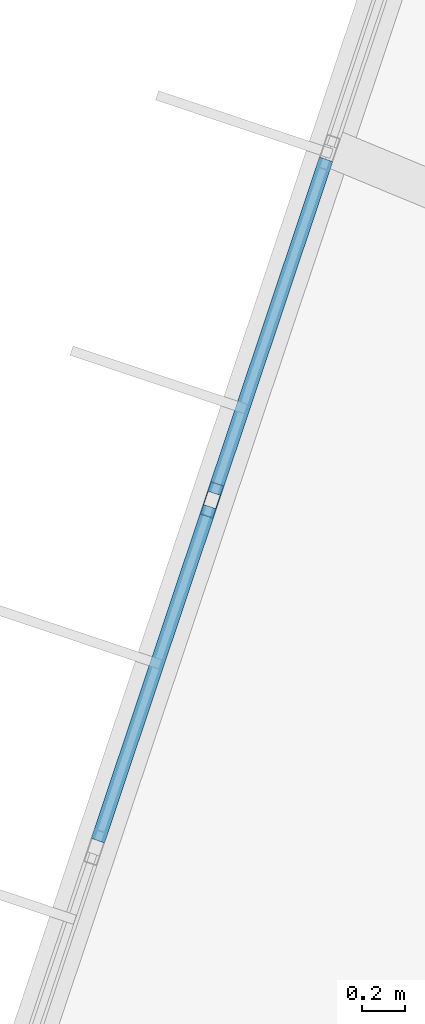
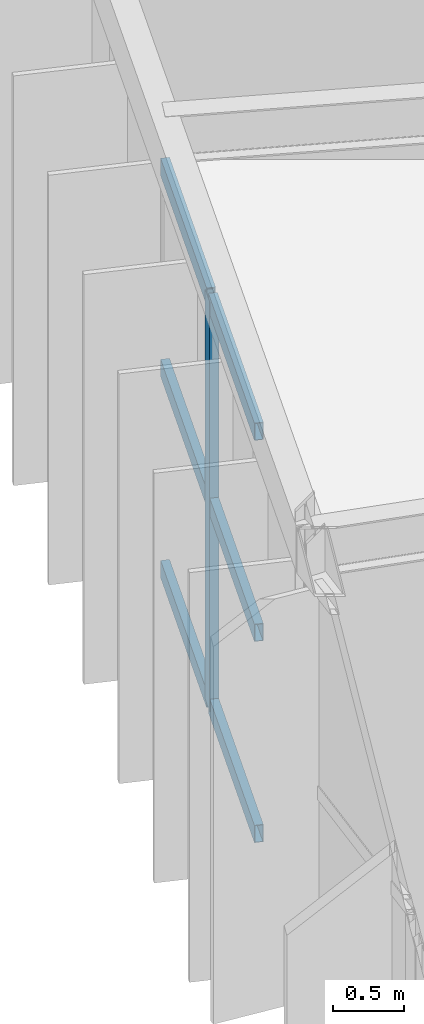
# One storey, part 29 of 106: 7 members, 1 element without a shape of its own.
"""IFC4 building model written with IfcOpenShell, lengths in metres."""

from ifc_helpers import new_model, si_unit, direction, frame, origin, origin_2d, place, context, subcontext, project, spatial, hollow_rectangle, extrude, material, material_profile, profile_set, type_object, element, aggregate, save


model = new_model("IFC4")

# Units and contexts
model_context = context("Model", 3, precision=1e-05, world=origin(), true_north=direction((0.0, 1.0)))
body_context = subcontext(model_context, "Body", "Model", "MODEL_VIEW")
ifc_project = project(units=[si_unit("LENGTHUNIT", "METRE"), si_unit("AREAUNIT", "SQUARE_METRE"), si_unit("VOLUMEUNIT", "CUBIC_METRE"), si_unit("PLANEANGLEUNIT", "RADIAN"), si_unit("MASSUNIT", "GRAM", prefix="KILO")], contexts=[model_context])

# Site, building, storey
site_placement = place(None, origin())
site = spatial("IfcSite", under=ifc_project, at=site_placement, CompositionType="ELEMENT")
building_placement = place(site_placement, origin())
building = spatial("IfcBuilding", under=site, at=building_placement, Name="Karori Crest Natural Sciences Institute", CompositionType="ELEMENT")
storey_placement = place(building_placement, frame((0.0, 0.0, 25.89990234375)))
storey = spatial("IfcBuildingStorey", under=building, at=storey_placement, Name="L06", CompositionType="ELEMENT", Elevation=25.89990234375)

# Curtain wall, members
ifc_material = material(Name="Anodised architectural aluminium 6063-T6", Category="aluminium")
curtain_wall_type = type_object("IfcCurtainWallType", Name="CWT-01", PredefinedType="NOTDEFINED", material=ifc_material)
curtain_wall_placement = place(storey_placement, origin())
curtain_wall = element("IfcCurtainWall", 1, at=curtain_wall_placement, inside=storey, type_object=curtain_wall_type, Name="Curtain wall CW-0235", PredefinedType="NOTDEFINED")
ifc_material_profile_1 = material_profile(ifc_material, hollow_rectangle(XDim=0.06494140625, YDim=0.159912109375, WallThickness=0.00390625, at=origin_2d()), Name="CWM160x65x4")
ifc_profile_set_1 = profile_set([ifc_material_profile_1], Name="Anodised architectural aluminium 6063-T6")
member_type_1 = type_object("IfcMemberType", Name="CWM-01", PredefinedType="MULLION", material=ifc_profile_set_1)
member_1_placement = place(storey_placement, frame((35.626953125, 63.7509765625, 0.0), z_axis=(0.0, 0.0, 1.0), x_axis=(-0.94819805026, 0.317679803392, 0.0)))
member_1 = element("IfcMember", 2, at=member_1_placement, type_object=member_type_1, Name="CW-0235 mullion 3", PredefinedType="MULLION", context=body_context, shape_type="SweptSolid", body=[
    extrude(hollow_rectangle(XDim=0.06494140625, YDim=0.159912109375, WallThickness=0.00390625, at=origin_2d()), origin(), (0.0, 0.0, 1.0), 3.525146484375),
])
ifc_material_profile_2 = material_profile(ifc_material, hollow_rectangle(XDim=0.06494140625, YDim=0.14990234375, WallThickness=0.00390625, at=origin_2d()), Name="CWT150x65x4")
ifc_profile_set_2 = profile_set([ifc_material_profile_2], Name="Anodised architectural aluminium 6063-T6")
member_type_2 = type_object("IfcMemberType", Name="CWT-TR2", PredefinedType="USERDEFINED", material=ifc_profile_set_2)
member_2_placement = place(storey_placement, frame((35.099365234375, 62.17578125, 0.03271484375), z_axis=(0.317666571129, 0.948202483432, 0.0), x_axis=(-0.948202483432, 0.317666571129, 0.0)))
member_2 = element("IfcMember", 3, at=member_2_placement, type_object=member_type_2, Name="CW-0235 transom 2.1", ObjectType="TRANSOM", PredefinedType="USERDEFINED", context=body_context, shape_type="SweptSolid", body=[
    extrude(hollow_rectangle(XDim=0.06494140625, YDim=0.14990234375, WallThickness=0.00390625, at=origin_2d()), origin(), (0.0, 0.0, 1.0), 1.628662109375),
])
member_3_placement = place(storey_placement, frame((35.099365234375, 62.17578125, 1.7626953125), z_axis=(0.317666571129, 0.948202483432, 0.0), x_axis=(-0.948202483432, 0.317666571129, 0.0)))
member_3 = element("IfcMember", 4, at=member_3_placement, type_object=member_type_2, Name="CW-0235 transom 2.2", ObjectType="TRANSOM", PredefinedType="USERDEFINED", context=body_context, shape_type="SweptSolid", body=[
    extrude(hollow_rectangle(XDim=0.06494140625, YDim=0.14990234375, WallThickness=0.00390625, at=origin_2d()), origin(), (0.0, 0.0, 1.0), 1.628662109375),
])
member_4_placement = place(storey_placement, frame((35.099365234375, 62.17578125, 3.49267578125), z_axis=(0.317666571129, 0.948202483432, 0.0), x_axis=(-0.948202483432, 0.317666571129, 0.0)))
member_4 = element("IfcMember", 5, at=member_4_placement, type_object=member_type_2, Name="CW-0235 transom 2.3", ObjectType="TRANSOM", PredefinedType="USERDEFINED", context=body_context, shape_type="SweptSolid", body=[
    extrude(hollow_rectangle(XDim=0.06494140625, YDim=0.14990234375, WallThickness=0.00390625, at=origin_2d()), origin(), (0.0, 0.0, 1.0), 1.628662109375),
])
member_5_placement = place(storey_placement, frame((35.637451171875, 63.78173828125, 0.03271484375), z_axis=(0.317621421426, 0.948217608279, 0.0), x_axis=(-0.948217608279, 0.317621421426, 0.0)))
member_5 = element("IfcMember", 6, at=member_5_placement, type_object=member_type_2, Name="CW-0235 transom 3.1", ObjectType="TRANSOM", PredefinedType="USERDEFINED", context=body_context, shape_type="SweptSolid", body=[
    extrude(hollow_rectangle(XDim=0.06494140625, YDim=0.14990234375, WallThickness=0.00390625, at=origin_2d()), origin(), (0.0, 0.0, 1.0), 1.628662109375),
])
member_6_placement = place(storey_placement, frame((35.637451171875, 63.78173828125, 1.7626953125), z_axis=(0.317621421426, 0.948217608279, 0.0), x_axis=(-0.948217608279, 0.317621421426, 0.0)))
member_6 = element("IfcMember", 7, at=member_6_placement, type_object=member_type_2, Name="CW-0235 transom 3.2", ObjectType="TRANSOM", PredefinedType="USERDEFINED", context=body_context, shape_type="SweptSolid", body=[
    extrude(hollow_rectangle(XDim=0.06494140625, YDim=0.14990234375, WallThickness=0.00390625, at=origin_2d()), origin(), (0.0, 0.0, 1.0), 1.628662109375),
])
member_7_placement = place(storey_placement, frame((35.637451171875, 63.78173828125, 3.49267578125), z_axis=(0.317621421426, 0.948217608279, 0.0), x_axis=(-0.948217608279, 0.317621421426, 0.0)))
member_7 = element("IfcMember", 8, at=member_7_placement, type_object=member_type_2, Name="CW-0235 transom 3.3", ObjectType="TRANSOM", PredefinedType="USERDEFINED", context=body_context, shape_type="SweptSolid", body=[
    extrude(hollow_rectangle(XDim=0.06494140625, YDim=0.14990234375, WallThickness=0.00390625, at=origin_2d()), origin(), (0.0, 0.0, 1.0), 1.628662109375),
])
aggregate(curtain_wall, [member_1, member_2, member_3, member_4, member_5, member_6, member_7])

save(model, "model.ifc")
